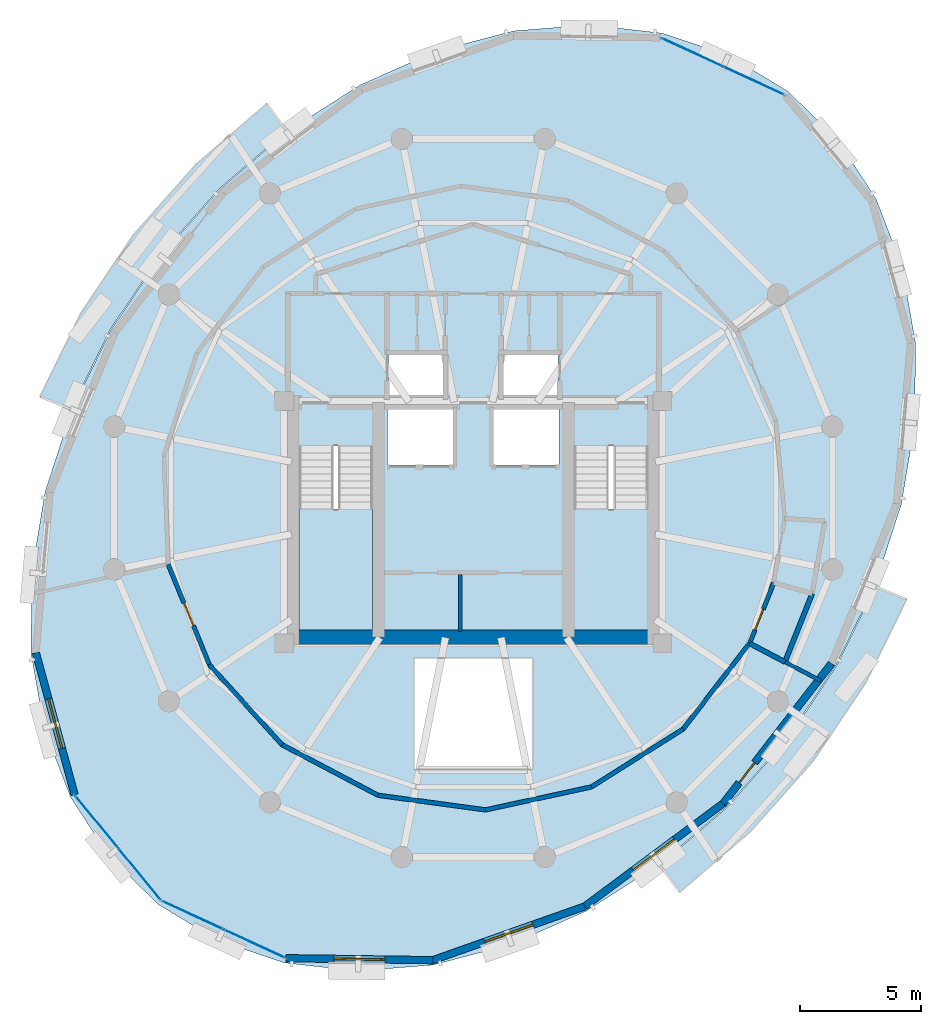
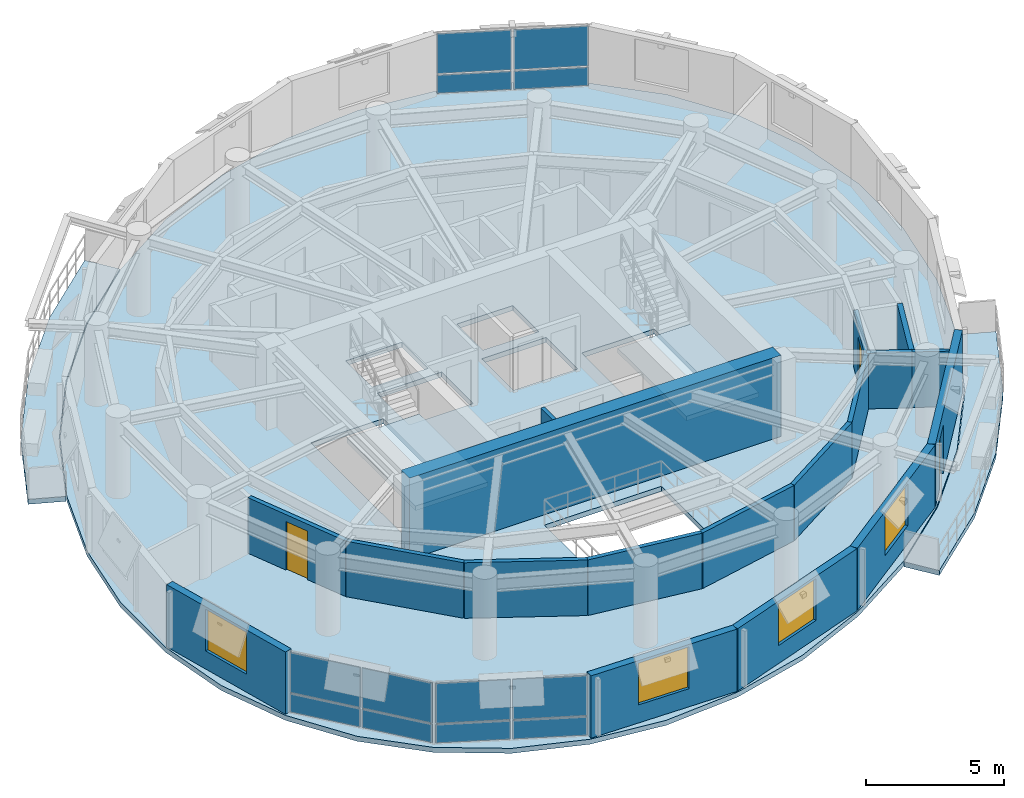
# One storey, part 6 of 11: 18 walls, 12 plates, 5 slabs, 4 windows, 3 doors, 7 openings, 5 elements without a shape of their own.
"""IFC4 building model written with IfcOpenShell, lengths in metres."""

from ifc_helpers import new_model, si_unit, direction, frame, frame_2d, origin, origin_2d, place, context, subcontext, project, spatial, polyline, rectangle, outline, extrude, material, layer, layer_set, type_object, element, fill, aggregate, save


model = new_model("IFC4")

# Units and contexts
model_context = context("Model", 3, precision=1e-05, world=origin(), true_north=direction((0.0, 1.0)))
body_context = subcontext(model_context, "Body", "Model", "MODEL_VIEW")
ifc_project = project(units=[si_unit("LENGTHUNIT", "METRE"), si_unit("AREAUNIT", "SQUARE_METRE"), si_unit("VOLUMEUNIT", "CUBIC_METRE"), si_unit("PLANEANGLEUNIT", "RADIAN"), si_unit("MASSUNIT", "GRAM", prefix="KILO"), si_unit("THERMODYNAMICTEMPERATUREUNIT", "KELVIN"), si_unit("POWERUNIT", "WATT")], contexts=[model_context])

# Site, building, storey
site_placement = place(None, origin())
site = spatial("IfcSite", under=ifc_project, at=site_placement, CompositionType="ELEMENT")
building_placement = place(site_placement, origin())
building = spatial("IfcBuilding", under=site, at=building_placement, Name="Ocrelia Relay Tower", CompositionType="ELEMENT")
storey_placement = place(building_placement, frame((0.0, 0.0, 248.39990234375)))
storey = spatial("IfcBuildingStorey", under=building, at=storey_placement, Name="L61", CompositionType="ELEMENT", Elevation=248.39990234375)

# Curtain wall, plates
ifc_material_1 = material(Name="Aluminium and solar-control low-E glass", Category="aluminium")
ifc_layer_1 = layer(ifc_material_1, 0.179931640625, Name="Aluminium and solar-control low-E glass")
ifc_layer_set_1 = layer_set([ifc_layer_1], Name="Aluminium and solar-control low-E glass")
curtain_wall_type = type_object("IfcCurtainWallType", Name="CW-SYS-Z4-EXEC", PredefinedType="NOTDEFINED", material=ifc_layer_set_1)
curtain_wall_1_placement = place(storey_placement, origin())
curtain_wall_1 = element("IfcCurtainWall", 1, at=curtain_wall_1_placement, inside=storey, type_object=curtain_wall_type, Name="L61 Elliptical Tower Curtain Wall Bay 01", PredefinedType="NOTDEFINED")
ifc_material_2 = material(Name="Clear double-glazed low-E glass", Category="glass")
ifc_layer_2 = layer(ifc_material_2, 0.031982421875, Name="Clear double-glazed low-E glass")
ifc_layer_set_2 = layer_set([ifc_layer_2], Name="Clear double-glazed low-E glass")
plate_type = type_object("IfcPlateType", Name="CW-SYS-Z4-EXEC-PNL", PredefinedType="CURTAIN_PANEL", material=ifc_layer_set_2)
plate_1_placement = place(storey_placement, frame((45.5595703125, 43.203857421875, 0.06005859375), z_axis=(0.0, 0.0, 1.0), x_axis=(-0.907795628133, 0.41941280088, 0.0)))
plate_1 = element("IfcPlate", 2, at=plate_1_placement, type_object=plate_type, Name="CW-Z4 panel 1.1", PredefinedType="CURTAIN_PANEL", context=body_context, shape_type="SweptSolid", body=[
    extrude(rectangle(XDim=2.7275390625, YDim=0.031982421875, at=origin_2d()), origin(), (0.0, 0.0, 1.0), 0.81005859375),
])
plate_2_placement = place(storey_placement, frame((45.5595703125, 43.203857421875, 0.93017578125), z_axis=(0.0, 0.0, 1.0), x_axis=(-0.907795628133, 0.41941280088, 0.0)))
plate_2 = element("IfcPlate", 3, at=plate_2_placement, type_object=plate_type, Name="CW-Z4 panel 1.2", PredefinedType="CURTAIN_PANEL", context=body_context, shape_type="SweptSolid", body=[
    extrude(rectangle(XDim=2.7275390625, YDim=0.031982421875, at=origin_2d()), origin(), (0.0, 0.0, 1.0), 1.77001953125),
])
plate_3_placement = place(storey_placement, frame((43.0244140625, 44.375, 0.06005859375), z_axis=(0.0, 0.0, 1.0), x_axis=(-0.907795628133, 0.41941280088, 0.0)))
plate_3 = element("IfcPlate", 4, at=plate_3_placement, type_object=plate_type, Name="CW-Z4 panel 2.1", PredefinedType="CURTAIN_PANEL", context=body_context, shape_type="SweptSolid", body=[
    extrude(rectangle(XDim=2.7275390625, YDim=0.031982421875, at=origin_2d()), origin(), (0.0, 0.0, 1.0), 0.81005859375),
])
plate_4_placement = place(storey_placement, frame((43.0244140625, 44.375, 0.93017578125), z_axis=(0.0, 0.0, 1.0), x_axis=(-0.907795628133, 0.41941280088, 0.0)))
plate_4 = element("IfcPlate", 5, at=plate_4_placement, type_object=plate_type, Name="CW-Z4 panel 2.2", PredefinedType="CURTAIN_PANEL", context=body_context, shape_type="SweptSolid", body=[
    extrude(rectangle(XDim=2.7275390625, YDim=0.031982421875, at=origin_2d()), origin(), (0.0, 0.0, 1.0), 1.77001953125),
])
aggregate(curtain_wall_1, [plate_1, plate_2, plate_3, plate_4])

curtain_wall_2_placement = place(storey_placement, origin())
curtain_wall_2 = element("IfcCurtainWall", 6, at=curtain_wall_2_placement, inside=storey, type_object=curtain_wall_type, Name="L61 Elliptical Tower Curtain Wall Bay 09", PredefinedType="NOTDEFINED")
plate_5_placement = place(storey_placement, frame((18.4697265625, 12.662353515625, 0.06005859375), z_axis=(0.0, 0.0, 1.0), x_axis=(0.63334572525, -0.773868976189, 0.0)))
plate_5 = element("IfcPlate", 7, at=plate_5_placement, type_object=plate_type, Name="CW-Z4 panel 1.1", PredefinedType="CURTAIN_PANEL", context=body_context, shape_type="SweptSolid", body=[
    extrude(rectangle(XDim=2.7275390625, YDim=0.031982421875, at=origin_2d()), origin(), (0.0, 0.0, 1.0), 0.81005859375),
])
plate_6_placement = place(storey_placement, frame((18.4697265625, 12.662353515625, 0.93017578125), z_axis=(0.0, 0.0, 1.0), x_axis=(0.63334572525, -0.773868976189, 0.0)))
plate_6 = element("IfcPlate", 8, at=plate_6_placement, type_object=plate_type, Name="CW-Z4 panel 1.2", PredefinedType="CURTAIN_PANEL", context=body_context, shape_type="SweptSolid", body=[
    extrude(rectangle(XDim=2.7275390625, YDim=0.031982421875, at=origin_2d()), origin(), (0.0, 0.0, 1.0), 1.77001953125),
])
plate_7_placement = place(storey_placement, frame((20.238525390625, 10.501220703125, 0.06005859375), z_axis=(0.0, 0.0, 1.0), x_axis=(0.63334572525, -0.773868976189, 0.0)))
plate_7 = element("IfcPlate", 9, at=plate_7_placement, type_object=plate_type, Name="CW-Z4 panel 2.1", PredefinedType="CURTAIN_PANEL", context=body_context, shape_type="SweptSolid", body=[
    extrude(rectangle(XDim=2.7275390625, YDim=0.031982421875, at=origin_2d()), origin(), (0.0, 0.0, 1.0), 0.81005859375),
])
plate_8_placement = place(storey_placement, frame((20.238525390625, 10.501220703125, 0.93017578125), z_axis=(0.0, 0.0, 1.0), x_axis=(0.63334572525, -0.773868976189, 0.0)))
plate_8 = element("IfcPlate", 10, at=plate_8_placement, type_object=plate_type, Name="CW-Z4 panel 2.2", PredefinedType="CURTAIN_PANEL", context=body_context, shape_type="SweptSolid", body=[
    extrude(rectangle(XDim=2.7275390625, YDim=0.031982421875, at=origin_2d()), origin(), (0.0, 0.0, 1.0), 1.77001953125),
])
aggregate(curtain_wall_2, [plate_5, plate_6, plate_7, plate_8])

curtain_wall_3_placement = place(storey_placement, origin())
curtain_wall_3 = element("IfcCurtainWall", 11, at=curtain_wall_3_placement, inside=storey, type_object=curtain_wall_type, Name="L61 Elliptical Tower Curtain Wall Bay 10", PredefinedType="NOTDEFINED")
plate_9_placement = place(storey_placement, frame((22.4404296875, 8.796142578125, 0.06005859375), z_axis=(0.0, 0.0, 1.0), x_axis=(0.907795628133, -0.41941280088, 0.0)))
plate_9 = element("IfcPlate", 12, at=plate_9_placement, type_object=plate_type, Name="CW-Z4 panel 1.1", PredefinedType="CURTAIN_PANEL", context=body_context, shape_type="SweptSolid", body=[
    extrude(rectangle(XDim=2.7275390625, YDim=0.031982421875, at=origin_2d()), origin(), (0.0, 0.0, 1.0), 0.81005859375),
])
plate_10_placement = place(storey_placement, frame((22.4404296875, 8.796142578125, 0.93017578125), z_axis=(0.0, 0.0, 1.0), x_axis=(0.907795628133, -0.41941280088, 0.0)))
plate_10 = element("IfcPlate", 13, at=plate_10_placement, type_object=plate_type, Name="CW-Z4 panel 1.2", PredefinedType="CURTAIN_PANEL", context=body_context, shape_type="SweptSolid", body=[
    extrude(rectangle(XDim=2.7275390625, YDim=0.031982421875, at=origin_2d()), origin(), (0.0, 0.0, 1.0), 1.77001953125),
])
plate_11_placement = place(storey_placement, frame((24.9755859375, 7.625, 0.06005859375), z_axis=(0.0, 0.0, 1.0), x_axis=(0.907795628133, -0.41941280088, 0.0)))
plate_11 = element("IfcPlate", 14, at=plate_11_placement, type_object=plate_type, Name="CW-Z4 panel 2.1", PredefinedType="CURTAIN_PANEL", context=body_context, shape_type="SweptSolid", body=[
    extrude(rectangle(XDim=2.7275390625, YDim=0.031982421875, at=origin_2d()), origin(), (0.0, 0.0, 1.0), 0.81005859375),
])
plate_12_placement = place(storey_placement, frame((24.9755859375, 7.625, 0.93017578125), z_axis=(0.0, 0.0, 1.0), x_axis=(0.907795628133, -0.41941280088, 0.0)))
plate_12 = element("IfcPlate", 15, at=plate_12_placement, type_object=plate_type, Name="CW-Z4 panel 2.2", PredefinedType="CURTAIN_PANEL", context=body_context, shape_type="SweptSolid", body=[
    extrude(rectangle(XDim=2.7275390625, YDim=0.031982421875, at=origin_2d()), origin(), (0.0, 0.0, 1.0), 1.77001953125),
])
aggregate(curtain_wall_3, [plate_9, plate_10, plate_11, plate_12])

# Slabs
ifc_material_3 = material(Name="Precast concrete C40/50", Category="concrete")
ifc_layer_3 = layer(ifc_material_3, 0.219970703125, Name="Precast concrete C40/50")
ifc_layer_set_3 = layer_set([ifc_layer_3], Name="Precast concrete C40/50")
slab_type_1 = type_object("IfcSlabType", Name="SL-BALC-220", PredefinedType="FLOOR", material=ifc_layer_set_3)
slab_1_placement = place(storey_placement, frame((0.0, 0.0, -0.219970703125)))
element("IfcSlab", 16, at=slab_1_placement, inside=storey, type_object=slab_type_1, Name="L61 Planted Loggia Balcony B1", PredefinedType="FLOOR", context=body_context, shape_type="SweptSolid", body=[
    extrude(outline(polyline([(26.310302734375, 41.134765625), (24.92529296875, 39.947265625), (23.540283203125, 38.759765625), (21.087890625, 35.99755859375), (19.02783203125, 32.931640625), (18.224853515625, 31.293701171875), (17.422119140625, 29.655517578125), (16.130615234375, 30.178955078125), (16.97607421875, 31.90380859375), (17.8212890625, 33.62841796875), (19.986572265625, 36.850341796875), (22.563720703125, 39.75341796875), (24.021728515625, 41.003662109375), (25.47998046875, 42.25390625), (26.310302734375, 41.134765625)])), origin(), (0.0, 0.0, 1.0), 0.219970703125),
])
slab_2_placement = place(storey_placement, frame((0.0, 0.0, -0.219970703125)))
element("IfcSlab", 17, at=slab_2_placement, inside=storey, type_object=slab_type_1, Name="L61 Planted Loggia Balcony B2", PredefinedType="FLOOR", context=body_context, shape_type="SweptSolid", body=[
    extrude(outline(polyline([(41.689697265625, 10.865234375), (43.07470703125, 12.052734375), (44.459716796875, 13.240234375), (46.912109375, 16.00244140625), (48.97216796875, 19.068359375), (49.775146484375, 20.706298828125), (50.577880859375, 22.344482421875), (51.869384765625, 21.821044921875), (51.024169921875, 20.09619140625), (50.1787109375, 18.37158203125), (48.013427734375, 15.149658203125), (45.436279296875, 12.24658203125), (43.978271484375, 10.996337890625), (42.52001953125, 9.74609375), (41.689697265625, 10.865234375)])), origin(), (0.0, 0.0, 1.0), 0.219970703125),
])
ifc_material_4 = material(Name="Concrete C50/60", Category="concrete")
ifc_layer_4 = layer(ifc_material_4, 0.219970703125, Name="Concrete C50/60")
ifc_layer_set_4 = layer_set([ifc_layer_4], Name="Concrete C50/60")
slab_type_2 = type_object("IfcSlabType", Name="SL-FLR-220", PredefinedType="FLOOR", material=ifc_layer_set_4)
slab_3_placement = place(storey_placement, frame((0.0, 0.0, -0.219970703125)))
element("IfcSlab", 18, at=slab_3_placement, inside=storey, type_object=slab_type_2, Name="L61 Elliptical Tower Floor Slab", PredefinedType="FLOOR", context=body_context, shape_type="SweptSolid", body=[
    extrude(outline(polyline([(46.97900390625, 42.7626953125), (44.543701171875, 44.24072265625), (41.7880859375, 45.164794921875), (38.7958984375, 45.50634765625), (35.658203125, 45.25537109375), (32.4697265625, 44.419189453125), (29.327880859375, 43.0234375), (26.328125, 41.110595703125), (23.561279296875, 38.73828125), (21.11181640625, 35.97900390625), (19.0537109375, 32.916748046875), (17.449951171875, 29.644287109375), (16.34912109375, 26.260986328125), (15.7841796875, 22.86962890625), (15.773193359375, 19.573486328125), (16.315673828125, 16.47265625), (17.395751953125, 13.661376953125), (18.980224609375, 11.224853515625), (21.02099609375, 9.2373046875), (23.456298828125, 7.75927734375), (26.2119140625, 6.835205078125), (29.2041015625, 6.49365234375), (32.341796875, 6.74462890625), (35.5302734375, 7.580810546875), (38.672119140625, 8.9765625), (41.671875, 10.889404296875), (44.438720703125, 13.26171875), (46.88818359375, 16.02099609375), (48.9462890625, 19.083251953125), (50.550048828125, 22.355712890625), (51.65087890625, 25.739013671875), (52.2158203125, 29.13037109375), (52.226806640625, 32.426513671875), (51.684326171875, 35.52734375), (50.604248046875, 38.338623046875), (49.019775390625, 40.775146484375), (46.97900390625, 42.7626953125)]), holes=[polyline([(26.81005859375, 28.14990234375), (26.81005859375, 20.550048828125), (29.85009765625, 20.550048828125), (29.85009765625, 28.14990234375), (26.81005859375, 28.14990234375)]), polyline([(38.159912109375, 28.14990234375), (38.159912109375, 20.550048828125), (41.199951171875, 20.550048828125), (41.199951171875, 28.14990234375), (38.159912109375, 28.14990234375)]), polyline([(30.4599609375, 27.35009765625), (33.159912109375, 27.35009765625), (33.159912109375, 29.64990234375), (30.4599609375, 29.64990234375), (30.4599609375, 27.35009765625)]), polyline([(34.840087890625, 27.35009765625), (37.5400390625, 27.35009765625), (37.5400390625, 29.64990234375), (34.840087890625, 29.64990234375), (34.840087890625, 27.35009765625)]), polyline([(30.5, 30.10009765625), (32.85009765625, 30.10009765625), (32.85009765625, 32.0), (30.5, 32.0), (30.5, 30.10009765625)]), polyline([(35.14990234375, 30.10009765625), (37.5, 30.10009765625), (37.5, 32.0), (35.14990234375, 32.0), (35.14990234375, 30.10009765625)]), polyline([(31.550048828125, 14.800048828125), (36.449951171875, 14.800048828125), (36.449951171875, 19.39990234375), (31.550048828125, 19.39990234375), (31.550048828125, 14.800048828125)])]), origin(), (0.0, 0.0, 1.0), 0.219970703125),
])

# Stair, slab
stair_type = type_object("IfcStairType", Name="ST-DL-1420-R180", PredefinedType="HALF_TURN_STAIR", material=ifc_material_4)
stair_1_placement = place(storey_placement, origin())
stair_1 = element("IfcStair", 19, at=stair_1_placement, inside=storey, type_object=stair_type, Name="L61 West Core Exit Stair ST1", PredefinedType="HALF_TURN_STAIR")
ifc_layer_5 = layer(ifc_material_4, 0.199951171875, Name="Concrete C50/60")
ifc_layer_set_5 = layer_set([ifc_layer_5], Name="Concrete C50/60")
slab_type_3 = type_object("IfcSlabType", Name="SL-LANDING-200", PredefinedType="LANDING", material=ifc_layer_set_5)
slab_4_placement = place(storey_placement, frame((0.0, 0.0, 1.60009765625)))
slab_4 = element("IfcSlab", 20, at=slab_4_placement, type_object=slab_type_3, Name="ST1 landing 1", PredefinedType="LANDING", context=body_context, shape_type="SweptSolid", body=[
    extrude(outline(polyline([(26.81005859375, 25.5400390625), (26.81005859375, 20.550048828125), (29.85009765625, 20.550048828125), (29.85009765625, 25.5400390625), (26.81005859375, 25.5400390625)])), origin(), (0.0, 0.0, 1.0), 0.199951171875),
])
aggregate(stair_1, [slab_4])

stair_2_placement = place(storey_placement, origin())
stair_2 = element("IfcStair", 21, at=stair_2_placement, inside=storey, type_object=stair_type, Name="L61 East Core Exit Stair ST2", PredefinedType="HALF_TURN_STAIR")
slab_5_placement = place(storey_placement, frame((0.0, 0.0, 1.60009765625)))
slab_5 = element("IfcSlab", 22, at=slab_5_placement, type_object=slab_type_3, Name="ST2 landing 1", PredefinedType="LANDING", context=body_context, shape_type="SweptSolid", body=[
    extrude(outline(polyline([(38.159912109375, 25.5400390625), (38.159912109375, 20.550048828125), (41.199951171875, 20.550048828125), (41.199951171875, 25.5400390625), (38.159912109375, 25.5400390625)])), origin(), (0.0, 0.0, 1.0), 0.199951171875),
])
aggregate(stair_2, [slab_5])

# Wall
ifc_layer_6 = layer(ifc_material_4, 0.60009765625, Name="Concrete C50/60")
ifc_layer_set_6 = layer_set([ifc_layer_6], Name="Concrete C50/60")
wall_type_1 = type_object("IfcWallType", Name="CW-CORE-600B", PredefinedType="SHEAR", material=ifc_layer_set_6)
wall_1_placement = place(storey_placement, frame((26.221923828125, 20.261962890625, 0.0), z_axis=(0.0, 0.0, 1.0), x_axis=(1.0, 0.0, 0.0)))
element("IfcWall", 23, at=wall_1_placement, inside=storey, type_object=wall_type_1, Name="L61 Core Shear Wall S", PredefinedType="SHEAR", context=body_context, shape_type="SweptSolid", body=[
    extrude(rectangle(XDim=15.566162109375, YDim=0.60009765625, at=frame_2d((7.783203125, 0.0))), origin(), (0.0, 0.0, 1.0), 3.60009765625),
])

# Wall, opening, door
ifc_material_5 = material(Name="Gypsum Fireboard Partition EI60", Category="gypsum")
ifc_layer_7 = layer(ifc_material_5, 0.179931640625, Name="Gypsum Fireboard Partition EI60")
ifc_layer_set_7 = layer_set([ifc_layer_7], Name="Gypsum Fireboard Partition EI60")
wall_type_2 = type_object("IfcWallType", Name="W-CORR-EI60-180", PredefinedType="PARTITIONING", material=ifc_layer_set_7)
wall_2_placement = place(storey_placement, frame((45.389892578125, 20.007568359375, 0.0), z_axis=(0.0, 0.0, 1.0), x_axis=(0.370498732277, 0.928832971734, 0.0)))
wall_2 = element("IfcWall", 24, at=wall_2_placement, inside=storey, type_object=wall_type_2, Name="L61 Staff Toilet Corridor Wall", PredefinedType="PARTITIONING", context=body_context, shape_type="SweptSolid", body=[
    extrude(rectangle(XDim=2.6904296875, YDim=0.179931640625, at=frame_2d((1.34521484375, 0.0))), origin(), (0.0, 0.0, 1.0), 2.460205078125),
])
opening_1_placement = place(wall_2_placement, frame((0.603271484375, 0.0, 0.0)))
opening_1 = element("IfcOpeningElement", 25, at=opening_1_placement, cuts=wall_2, Name="Opening D-WC92", PredefinedType="OPENING", context=body_context, shape_type="SweptSolid", body=[
    extrude(rectangle(XDim=0.919921875, YDim=2.10009765625, at=frame_2d((0.4599609375, 1.050048828125))), frame((0.0, 0.10009765625, 0.0), z_axis=(0.0, -1.0, 0.0), x_axis=(1.0, 0.0, 0.0)), (0.0, 0.0, 1.0), 0.199951171875),
])
ifc_material_6 = material(Name="Laminate washroom door", Category="wood")
door_type_1 = type_object("IfcDoorType", Name="DR-WC-920", OperationType="NOTDEFINED", PredefinedType="DOOR", material=ifc_material_6)
door_1_placement = place(opening_1_placement, origin())
door_1 = element("IfcDoor", 26, at=door_1_placement, inside=storey, type_object=door_type_1, Name="L61 Staff Toilet Door", OperationType="SINGLE_SWING_RIGHT", OverallHeight=2.10009765625, OverallWidth=0.919921875, PredefinedType="DOOR", context=body_context, shape_type="SweptSolid", body=[
    extrude(rectangle(XDim=0.919921875, YDim=2.10009765625, at=frame_2d((0.4599609375, 1.050048828125))), frame((0.0, 0.02490234375, 0.0), z_axis=(0.0, -1.0, 0.0), x_axis=(1.0, 0.0, 0.0)), (0.0, 0.0, 1.0), 0.050048828125),
])
fill(opening_1, door_1)

wall_3_placement = place(storey_placement, frame((21.423095703125, 23.269287109375, 0.0), z_axis=(0.0, 0.0, 1.0), x_axis=(0.378630718896, -0.925547826268, 0.0)))
wall_3 = element("IfcWall", 27, at=wall_3_placement, inside=storey, type_object=wall_type_2, Name="L61 Staff Wellness and Fitness Studio Corridor Partition 1", PredefinedType="PARTITIONING", context=body_context, shape_type="SweptSolid", body=[
    extrude(rectangle(XDim=4.4697265625, YDim=0.179931640625, at=frame_2d((2.23486328125, 0.0))), origin(), (0.0, 0.0, 1.0), 2.460205078125),
])
opening_2_placement = place(wall_3_placement, frame((1.73486328125, 0.0, 0.0)))
opening_2 = element("IfcOpeningElement", 28, at=opening_2_placement, cuts=wall_3, Name="Opening D-RM100", PredefinedType="OPENING", context=body_context, shape_type="SweptSolid", body=[
    extrude(rectangle(XDim=1.0, YDim=2.14990234375, at=frame_2d((0.5, 1.074951171875))), frame((0.0, 0.10009765625, 0.0), z_axis=(0.0, -1.0, 0.0), x_axis=(1.0, 0.0, 0.0)), (0.0, 0.0, 1.0), 0.199951171875),
])
ifc_material_7 = material(Name="Acoustic oak veneer fire door", Category="wood")
door_type_2 = type_object("IfcDoorType", Name="DR-ROOM-FD60-1000", OperationType="NOTDEFINED", PredefinedType="DOOR", material=ifc_material_7)
door_2_placement = place(opening_2_placement, origin())
door_2 = element("IfcDoor", 29, at=door_2_placement, inside=storey, type_object=door_type_2, Name="L61 Staff Wellness and Fitness Studio Entrance Door", OperationType="SINGLE_SWING_RIGHT", OverallHeight=2.14990234375, OverallWidth=1.0, PredefinedType="DOOR", context=body_context, shape_type="SweptSolid", body=[
    extrude(rectangle(XDim=1.0, YDim=2.14990234375, at=frame_2d((0.5, 1.074951171875))), frame((0.0, 0.02490234375, 0.0), z_axis=(0.0, -1.0, 0.0), x_axis=(1.0, 0.0, 0.0)), (0.0, 0.0, 1.0), 0.050048828125),
])
fill(opening_2, door_2)

# Walls
wall_4_placement = place(storey_placement, frame((23.115478515625, 19.13232421875, 0.0), z_axis=(0.0, 0.0, 1.0), x_axis=(0.672373687718, -0.740211877819, 0.0)))
element("IfcWall", 30, at=wall_4_placement, inside=storey, type_object=wall_type_2, Name="L61 Staff Wellness and Fitness Studio Corridor Partition 2", PredefinedType="PARTITIONING", context=body_context, shape_type="SweptSolid", body=[
    extrude(rectangle(XDim=4.4697265625, YDim=0.179931640625, at=frame_2d((2.23486328125, 0.0))), origin(), (0.0, 0.0, 1.0), 2.460205078125),
])
wall_5_placement = place(storey_placement, frame((26.120849609375, 15.82373046875, 0.0), z_axis=(0.0, 0.0, 1.0), x_axis=(0.884994042348, -0.465602346437, 0.0)))
element("IfcWall", 31, at=wall_5_placement, inside=storey, type_object=wall_type_2, Name="L61 Staff Wellness and Fitness Studio Corridor Partition 3", PredefinedType="PARTITIONING", context=body_context, shape_type="SweptSolid", body=[
    extrude(rectangle(XDim=4.469482421875, YDim=0.179931640625, at=frame_2d((2.23486328125, 0.0))), origin(), (0.0, 0.0, 1.0), 2.460205078125),
])
for number, where, z_axis, x_axis, name in (
    (32, (30.076416015625, 13.74267578125, 0.0), (0.0, 0.0, 1.0), (0.990865034307, -0.134857271909, 0.0), "L61 Staff Wellness and Fitness Studio Corridor Partition 4"),
    (33, (34.50537109375, 13.139892578125, 0.0), (0.0, 0.0, 1.0), (0.977225634609, 0.212202872419, 0.0), "L61 Staff Wellness and Fitness Studio Corridor Partition 5"),
):
    element("IfcWall", number, at=place(storey_placement, frame(where, z_axis=z_axis, x_axis=x_axis)), inside=storey, type_object=wall_type_2, Name=name, PredefinedType="PARTITIONING", context=body_context, shape_type="SweptSolid", body=[
        extrude(rectangle(XDim=4.4697265625, YDim=0.179931640625, at=frame_2d((2.23486328125, 0.0))), origin(), (0.0, 0.0, 1.0), 2.460205078125),
    ])
wall_6_placement = place(storey_placement, frame((38.873291015625, 14.08837890625, 0.0), z_axis=(0.0, 0.0, 1.0), x_axis=(0.845728942712, 0.533612739221, 0.0)))
element("IfcWall", 34, at=wall_6_placement, inside=storey, type_object=wall_type_2, Name="L61 Staff Wellness and Fitness Studio Corridor Partition 6", PredefinedType="PARTITIONING", context=body_context, shape_type="SweptSolid", body=[
    extrude(rectangle(XDim=4.469482421875, YDim=0.179931640625, at=frame_2d((2.23486328125, 0.0))), origin(), (0.0, 0.0, 1.0), 2.460205078125),
])
wall_7_placement = place(storey_placement, frame((42.6533203125, 16.473388671875, 0.0), z_axis=(0.0, 0.0, 1.0), x_axis=(0.612233781192, 0.790676796907, 0.0)))
element("IfcWall", 35, at=wall_7_placement, inside=storey, type_object=wall_type_2, Name="L61 Staff Wellness and Fitness Studio Corridor Partition 7", PredefinedType="PARTITIONING", context=body_context, shape_type="SweptSolid", body=[
    extrude(rectangle(XDim=4.4697265625, YDim=0.179931640625, at=frame_2d((2.23486328125, 0.0))), origin(), (0.0, 0.0, 1.0), 2.460205078125),
])

# Wall, opening, window
ifc_material_8 = material(Name="Precast concrete C40/50 with oxide terracotta", Category="masonry")
ifc_layer_8 = layer(ifc_material_8, 0.300048828125, Name="Precast concrete C40/50 with oxide terracotta")
ifc_layer_set_8 = layer_set([ifc_layer_8], Name="Precast concrete C40/50 with oxide terracotta")
wall_type_3 = type_object("IfcWallType", Name="W-EXT-TERR-300", PredefinedType="SOLIDWALL", material=ifc_layer_set_8)
wall_8_placement = place(storey_placement, frame((15.968505859375, 19.615966796875, 0.0), z_axis=(0.0, 0.0, 1.0), x_axis=(0.263318465664, -0.964708964217, 0.0)))
wall_8 = element("IfcWall", 36, at=wall_8_placement, inside=storey, type_object=wall_type_3, Name="L61 Oxide Terracotta Facade Wall 08", PredefinedType="SOLIDWALL", context=body_context, shape_type="SweptSolid", body=[
    extrude(rectangle(XDim=6.061767578125, YDim=0.300048828125, at=frame_2d((3.03076171875, 0.0))), origin(), (0.0, 0.0, 1.0), 2.760009765625),
])
opening_3_placement = place(wall_8_placement, frame((1.98095703125, 0.0, 0.800048828125)))
opening_3 = element("IfcOpeningElement", 37, at=opening_3_placement, cuts=wall_8, Name="Opening W-07", PredefinedType="OPENING", context=body_context, shape_type="SweptSolid", body=[
    extrude(rectangle(XDim=2.10009765625, YDim=1.85009765625, at=frame_2d((1.050048828125, 0.925048828125))), frame((0.0, 0.16015625, 0.0), z_axis=(0.0, -1.0, 0.0), x_axis=(1.0, 0.0, 0.0)), (0.0, 0.0, 1.0), 0.320068359375),
])
window_type = type_object("IfcWindowType", Name="WIN-Z4-2100x2200", PartitioningType="DOUBLE_PANEL_VERTICAL", PredefinedType="WINDOW", material=ifc_material_2)
window_1_placement = place(opening_3_placement, origin())
window_1 = element("IfcWindow", 38, at=window_1_placement, inside=storey, type_object=window_type, Name="L61 Facade Module Window 08", OverallHeight=1.85009765625, OverallWidth=2.10009765625, PartitioningType="SINGLE_PANEL", PredefinedType="WINDOW", context=body_context, shape_type="SweptSolid", body=[
    extrude(rectangle(XDim=2.10009765625, YDim=1.85009765625, at=frame_2d((1.050048828125, 0.925048828125))), frame((0.0, 0.030029296875, 0.0), z_axis=(0.0, -1.0, 0.0), x_axis=(1.0, 0.0, 0.0)), (0.0, 0.0, 1.0), 0.06005859375),
])
fill(opening_3, window_1)

wall_9_placement = place(storey_placement, frame((26.272705078125, 7.025634765625, 0.0), z_axis=(0.0, 0.0, 1.0), x_axis=(0.999910599604, -0.013371342453, 0.0)))
wall_9 = element("IfcWall", 39, at=wall_9_placement, inside=storey, type_object=wall_type_3, Name="L61 Oxide Terracotta Facade Wall 11", PredefinedType="SOLIDWALL", context=body_context, shape_type="SweptSolid", body=[
    extrude(rectangle(XDim=6.061767578125, YDim=0.300048828125, at=frame_2d((3.03076171875, 0.0))), origin(), (0.0, 0.0, 1.0), 2.760009765625),
])
opening_4_placement = place(wall_9_placement, frame((1.98095703125, 0.0, 0.800048828125)))
opening_4 = element("IfcOpeningElement", 40, at=opening_4_placement, cuts=wall_9, Name="Opening W-07", PredefinedType="OPENING", context=body_context, shape_type="SweptSolid", body=[
    extrude(rectangle(XDim=2.10009765625, YDim=1.85009765625, at=frame_2d((1.050048828125, 0.925048828125))), frame((0.0, 0.16015625, 0.0), z_axis=(0.0, -1.0, 0.0), x_axis=(1.0, 0.0, 0.0)), (0.0, 0.0, 1.0), 0.320068359375),
])
window_2_placement = place(opening_4_placement, origin())
window_2 = element("IfcWindow", 41, at=window_2_placement, inside=storey, type_object=window_type, Name="L61 Facade Module Window 11", OverallHeight=1.85009765625, OverallWidth=2.10009765625, PartitioningType="SINGLE_PANEL", PredefinedType="WINDOW", context=body_context, shape_type="SweptSolid", body=[
    extrude(rectangle(XDim=2.10009765625, YDim=1.85009765625, at=frame_2d((1.050048828125, 0.925048828125))), frame((0.0, 0.030029296875, 0.0), z_axis=(0.0, -1.0, 0.0), x_axis=(1.0, 0.0, 0.0)), (0.0, 0.0, 1.0), 0.06005859375),
])
fill(opening_4, window_2)

wall_10_placement = place(storey_placement, frame((32.333984375, 6.944580078125, 0.0), z_axis=(0.0, 0.0, 1.0), x_axis=(0.942666251725, 0.33373692912, 0.0)))
wall_10 = element("IfcWall", 42, at=wall_10_placement, inside=storey, type_object=wall_type_3, Name="L61 Oxide Terracotta Facade Wall 12", PredefinedType="SOLIDWALL", context=body_context, shape_type="SweptSolid", body=[
    extrude(rectangle(XDim=6.64306640625, YDim=0.300048828125, at=frame_2d((3.321533203125, 0.0))), origin(), (0.0, 0.0, 1.0), 2.760009765625),
])
opening_5_placement = place(wall_10_placement, frame((2.27197265625, 0.0, 0.800048828125)))
opening_5 = element("IfcOpeningElement", 43, at=opening_5_placement, cuts=wall_10, Name="Opening W-07", PredefinedType="OPENING", context=body_context, shape_type="SweptSolid", body=[
    extrude(rectangle(XDim=2.10009765625, YDim=1.85009765625, at=frame_2d((1.050048828125, 0.925048828125))), frame((0.0, 0.16015625, 0.0), z_axis=(0.0, -1.0, 0.0), x_axis=(1.0, 0.0, 0.0)), (0.0, 0.0, 1.0), 0.320068359375),
])
window_3_placement = place(opening_5_placement, origin())
window_3 = element("IfcWindow", 44, at=window_3_placement, inside=storey, type_object=window_type, Name="L61 Facade Module Window 12", OverallHeight=1.85009765625, OverallWidth=2.10009765625, PartitioningType="SINGLE_PANEL", PredefinedType="WINDOW", context=body_context, shape_type="SweptSolid", body=[
    extrude(rectangle(XDim=2.10009765625, YDim=1.85009765625, at=frame_2d((1.050048828125, 0.925048828125))), frame((0.0, 0.030029296875, 0.0), z_axis=(0.0, -1.0, 0.0), x_axis=(1.0, 0.0, 0.0)), (0.0, 0.0, 1.0), 0.06005859375),
])
fill(opening_5, window_3)

wall_11_placement = place(storey_placement, frame((38.59619140625, 9.16162109375, 0.0), z_axis=(0.0, 0.0, 1.0), x_axis=(0.802217934013, 0.597031311028, 0.0)))
wall_11 = element("IfcWall", 45, at=wall_11_placement, inside=storey, type_object=wall_type_3, Name="L61 Oxide Terracotta Facade Wall 13", PredefinedType="SOLIDWALL", context=body_context, shape_type="SweptSolid", body=[
    extrude(rectangle(XDim=7.115234375, YDim=0.300048828125, at=frame_2d((3.5576171875, 0.0))), origin(), (0.0, 0.0, 1.0), 2.760009765625),
])
opening_6_placement = place(wall_11_placement, frame((2.508056640625, 0.0, 0.800048828125)))
opening_6 = element("IfcOpeningElement", 46, at=opening_6_placement, cuts=wall_11, Name="Opening W-07", PredefinedType="OPENING", context=body_context, shape_type="SweptSolid", body=[
    extrude(rectangle(XDim=2.10009765625, YDim=1.85009765625, at=frame_2d((1.050048828125, 0.925048828125))), frame((0.0, 0.16015625, 0.0), z_axis=(0.0, -1.0, 0.0), x_axis=(1.0, 0.0, 0.0)), (0.0, 0.0, 1.0), 0.320068359375),
])
window_4_placement = place(opening_6_placement, origin())
window_4 = element("IfcWindow", 47, at=window_4_placement, inside=storey, type_object=window_type, Name="L61 Facade Module Window 13", OverallHeight=1.85009765625, OverallWidth=2.10009765625, PartitioningType="SINGLE_PANEL", PredefinedType="WINDOW", context=body_context, shape_type="SweptSolid", body=[
    extrude(rectangle(XDim=2.10009765625, YDim=1.85009765625, at=frame_2d((1.050048828125, 0.925048828125))), frame((0.0, 0.030029296875, 0.0), z_axis=(0.0, -1.0, 0.0), x_axis=(1.0, 0.0, 0.0)), (0.0, 0.0, 1.0), 0.06005859375),
])
fill(opening_6, window_4)

# Wall, opening, door
wall_12_placement = place(storey_placement, frame((44.30419921875, 13.40966796875, 0.0), z_axis=(0.0, 0.0, 1.0), x_axis=(0.612210325416, 0.790694958536, 0.0)))
wall_12 = element("IfcWall", 48, at=wall_12_placement, inside=storey, type_object=wall_type_3, Name="L61 Oxide Terracotta Facade Wall 14", PredefinedType="SOLIDWALL", context=body_context, shape_type="SweptSolid", body=[
    extrude(rectangle(XDim=7.29345703125, YDim=0.300048828125, at=frame_2d((3.646728515625, 0.0))), origin(), (0.0, 0.0, 1.0), 2.760009765625),
])
opening_7_placement = place(wall_12_placement, frame((1.070068359375, 0.0, 0.0)))
opening_7 = element("IfcOpeningElement", 49, at=opening_7_placement, cuts=wall_12, Name="Opening DB-105", PredefinedType="OPENING", context=body_context, shape_type="SweptSolid", body=[
    extrude(rectangle(XDim=1.050048828125, YDim=2.14990234375, at=frame_2d((0.52490234375, 1.074951171875))), frame((0.0, 0.16015625, 0.0), z_axis=(0.0, -1.0, 0.0), x_axis=(1.0, 0.0, 0.0)), (0.0, 0.0, 1.0), 0.320068359375),
])
ifc_material_9 = material(Name="Thermally broken aluminium and clear glass", Category="aluminium")
door_type_3 = type_object("IfcDoorType", Name="DR-BALC-1050", OperationType="NOTDEFINED", PredefinedType="DOOR", material=ifc_material_9)
door_3_placement = place(opening_7_placement, origin())
door_3 = element("IfcDoor", 50, at=door_3_placement, inside=storey, type_object=door_type_3, Name="L61 Planted Loggia Balcony Door B2", OperationType="SINGLE_SWING_LEFT", OverallHeight=2.14990234375, OverallWidth=1.050048828125, PredefinedType="DOOR", context=body_context, shape_type="SweptSolid", body=[
    extrude(rectangle(XDim=1.050048828125, YDim=2.14990234375, at=frame_2d((0.52490234375, 1.074951171875))), frame((0.0, 0.02490234375, 0.0), z_axis=(0.0, -1.0, 0.0), x_axis=(1.0, 0.0, 0.0)), (0.0, 0.0, 1.0), 0.050048828125),
])
fill(opening_7, door_3)

# Walls
ifc_material_10 = material(Name="Acoustic Fireboard Partition EI60", Category="gypsum")
ifc_layer_9 = layer(ifc_material_10, 0.14990234375, Name="Acoustic Fireboard Partition EI60")
ifc_layer_set_9 = layer_set([ifc_layer_9], Name="Acoustic Fireboard Partition EI60")
wall_type_4 = type_object("IfcWallType", Name="W-PART-150", PredefinedType="PARTITIONING", material=ifc_layer_set_9)
wall_13_placement = place(storey_placement, frame((33.4599609375, 20.5, 0.0), z_axis=(0.0, 0.0, 1.0), x_axis=(0.0, 1.0, 0.0)))
element("IfcWall", 51, at=wall_13_placement, inside=storey, type_object=wall_type_4, Name="L61 Reclaimed Core Dividing Wall", PredefinedType="PARTITIONING", context=body_context, shape_type="SweptSolid", body=[
    extrude(rectangle(XDim=2.340087890625, YDim=0.14990234375, at=frame_2d((1.169921875, 0.0))), origin(), (0.0, 0.0, 1.0), 2.460205078125),
])
wall_14_placement = place(storey_placement, frame((46.85009765625, 19.2392578125, 0.0), z_axis=(0.0, 0.0, 1.0), x_axis=(0.884968627089, -0.465650651313, 0.0)))
element("IfcWall", 52, at=wall_14_placement, inside=storey, type_object=wall_type_4, Name="L61 Technical Reference Library Radial Partition", PredefinedType="PARTITIONING", context=body_context, shape_type="SweptSolid", body=[
    extrude(rectangle(XDim=1.680908203125, YDim=0.14990234375, at=frame_2d((0.84033203125, 0.0))), origin(), (0.0, 0.0, 1.0), 2.460205078125),
])
ifc_material_11 = material(Name="Moisture-Resistant Fireboard Chase Wall EI60", Category="gypsum")
ifc_layer_10 = layer(ifc_material_11, 0.199951171875, Name="Moisture-Resistant Fireboard Chase Wall EI60")
ifc_layer_set_10 = layer_set([ifc_layer_10], Name="Moisture-Resistant Fireboard Chase Wall EI60")
wall_type_5 = type_object("IfcWallType", Name="W-PLUMB-200", PredefinedType="PLUMBINGWALL", material=ifc_layer_set_10)
wall_15_placement = place(storey_placement, frame((45.389892578125, 20.007568359375, 0.0), z_axis=(0.0, 0.0, 1.0), x_axis=(0.884972780046, -0.465642758536, 0.0)))
element("IfcWall", 53, at=wall_15_placement, inside=storey, type_object=wall_type_5, Name="L61 Staff Toilet Plumbing Radial Wall", PredefinedType="PLUMBINGWALL", context=body_context, shape_type="SweptSolid", body=[
    extrude(rectangle(XDim=1.64990234375, YDim=0.199951171875, at=frame_2d((0.824951171875, 0.0))), origin(), (0.0, 0.0, 1.0), 2.460205078125),
])
wall_16_placement = place(storey_placement, frame((46.85009765625, 19.2392578125, 0.0), z_axis=(0.0, 0.0, 1.0), x_axis=(0.370544612269, 0.928814669521, 0.0)))
element("IfcWall", 54, at=wall_16_placement, inside=storey, type_object=wall_type_5, Name="L61 Staff Toilet Back Plumbing Wall", PredefinedType="PLUMBINGWALL", context=body_context, shape_type="SweptSolid", body=[
    extrude(rectangle(XDim=3.035400390625, YDim=0.199951171875, at=frame_2d((1.517578125, 0.0))), origin(), (0.0, 0.0, 1.0), 2.460205078125),
])

save(model, "model.ifc")
